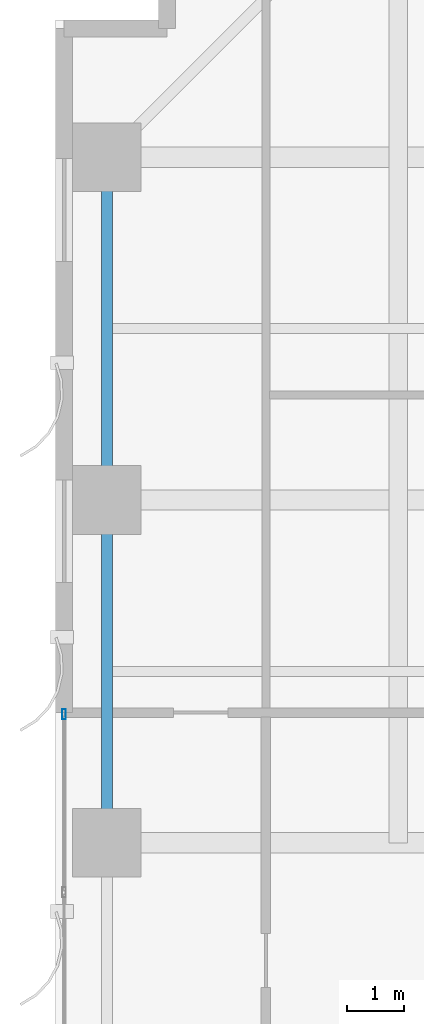
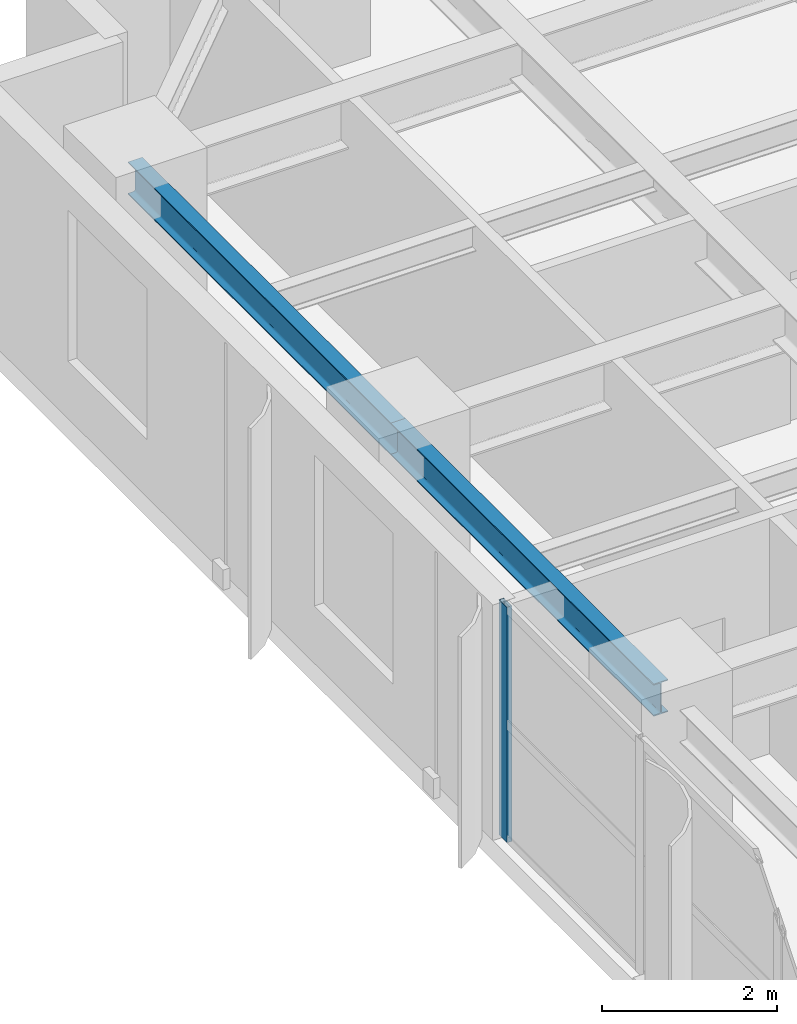
# One storey, part 8 of 23: 2 beams, 1 member, 1 element without a shape of its own.
"""IFC4 building model written with IfcOpenShell, lengths in metres."""

from ifc_helpers import new_model, si_unit, direction, frame, origin, origin_2d, place, context, subcontext, project, spatial, hollow_rectangle, i_section, extrude, source, transform, mapped, material, layer, layer_set, material_profile, profile_set, type_object, element, aggregate, save


model = new_model("IFC4")

# Units and contexts
model_context = context("Model", 3, precision=1e-05, world=origin(), true_north=direction((0.0, 1.0)))
body_context = subcontext(model_context, "Body", "Model", "MODEL_VIEW")
ifc_project = project(units=[si_unit("LENGTHUNIT", "METRE"), si_unit("AREAUNIT", "SQUARE_METRE"), si_unit("VOLUMEUNIT", "CUBIC_METRE"), si_unit("PLANEANGLEUNIT", "RADIAN"), si_unit("MASSUNIT", "GRAM", prefix="KILO")], contexts=[model_context])

# Site, building, storey
site_placement = place(None, origin())
site = spatial("IfcSite", under=ifc_project, at=site_placement, CompositionType="ELEMENT")
building_placement = place(site_placement, origin())
building = spatial("IfcBuilding", under=site, at=building_placement, Name="Khoralis Quay Care Tower", CompositionType="ELEMENT")
storey_placement = place(building_placement, frame((0.0, 0.0, 72.89990234375)))
storey = spatial("IfcBuildingStorey", under=building, at=storey_placement, Name="L19", CompositionType="ELEMENT", Elevation=72.89990234375)

# Beams
ifc_material_1 = material(Name="Steel S355", Category="steel")
ifc_material_profile_1 = material_profile(ifc_material_1, i_section(OverallWidth=0.18994140625, OverallDepth=0.449951171875, WebThickness=0.009521484375, FlangeThickness=0.0146484375, FilletRadius=0.02099609375, at=origin_2d()), Name="Steel S355")
ifc_profile_set_1 = profile_set([ifc_material_profile_1], Name="Steel S355")
beam_type = type_object("IfcBeamType", Name="BM-IPE450", PredefinedType="SPANDREL", material=ifc_profile_set_1)
shared_shape_1 = source(origin(), body_context, "Body", "SweptSolid", [
    extrude(i_section(OverallWidth=0.18994140625, OverallDepth=0.449951171875, WebThickness=0.009521484375, FlangeThickness=0.0146484375, FilletRadius=0.02099609375, at=origin_2d()), origin(), (0.0, 0.0, 1.0), 6.0),
])
for number, where, z_axis, x_axis, name in (
    (1, (0.89990234375, 30.0, 3.05517578125), (0.0, 1.0, 0.0), (-1.0, 0.0, 0.0), "BM-TSP-L19-17"),
    (2, (0.89990234375, 36.0, 3.05517578125), (0.0, 1.0, 0.0), (-1.0, 0.0, 0.0), "BM-TSP-L19-18"),
):
    element("IfcBeam", number, at=place(storey_placement, frame(where, z_axis=z_axis, x_axis=x_axis)), inside=storey, type_object=beam_type, Name=name, PredefinedType="SPANDREL", context=body_context, shape_type="MappedRepresentation", body=[
        mapped(shared_shape_1, transform((0.0, 0.0, 0.0), scale=1.0)),
    ])

# Curtain wall, member
ifc_material_2 = material(Name="Pale anodised aluminium", Category="aluminium")
ifc_layer = layer(ifc_material_2, 0.179931640625)
ifc_layer_set = layer_set([ifc_layer], Name="Pale anodised aluminium")
curtain_wall_type = type_object("IfcCurtainWallType", Name="CW-SYS-Z1", PredefinedType="NOTDEFINED", material=ifc_layer_set)
curtain_wall_placement = place(storey_placement, origin())
curtain_wall = element("IfcCurtainWall", 3, at=curtain_wall_placement, inside=storey, type_object=curtain_wall_type, Name="L19 Unitised Curtain Wall CW-L19-P1-E15", PredefinedType="NOTDEFINED")
ifc_material_profile_2 = material_profile(ifc_material_2, hollow_rectangle(XDim=0.06494140625, YDim=0.179931640625, WallThickness=0.00390625, at=origin_2d()), Name="Pale anodised aluminium")
ifc_profile_set_2 = profile_set([ifc_material_profile_2], Name="Pale anodised aluminium")
member_type = type_object("IfcMemberType", Name="CW-MUL-180", PredefinedType="MULLION", material=ifc_profile_set_2)
shared_shape_2 = source(origin(), body_context, "Body", "SweptSolid", [
    extrude(hollow_rectangle(XDim=0.06494140625, YDim=0.179931640625, WallThickness=0.00390625, at=origin_2d()), origin(), (0.0, 0.0, 1.0), 3.280029296875),
])
member_placement = place(storey_placement, frame((0.14990234375, 32.25, 0.0), z_axis=(0.0, 0.0, 1.0), x_axis=(1.0, 0.0, 0.0)))
member = element("IfcMember", 4, at=member_placement, type_object=member_type, Name="CW1 mullion 1", PredefinedType="MULLION", context=body_context, shape_type="MappedRepresentation", body=[
    mapped(shared_shape_2, transform((0.0, 0.0, 0.0), scale=1.0)),
])
aggregate(curtain_wall, [member])

save(model, "model.ifc")
